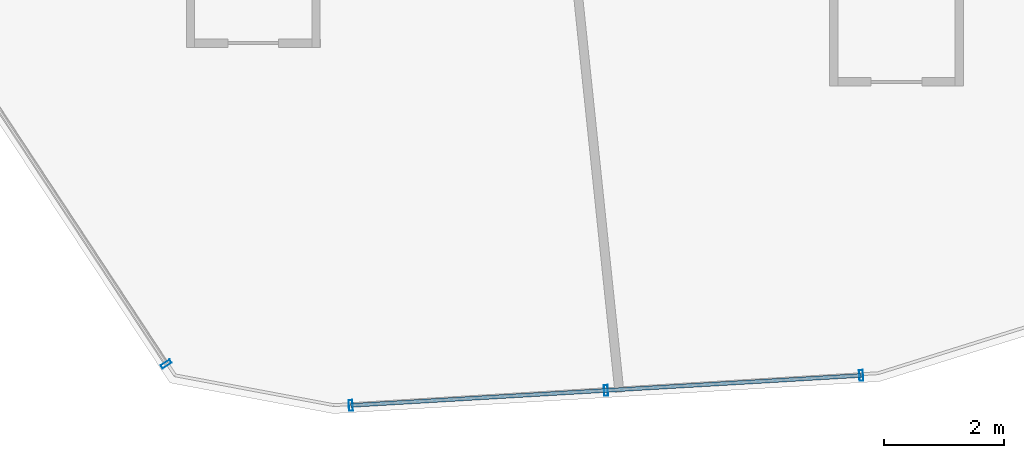
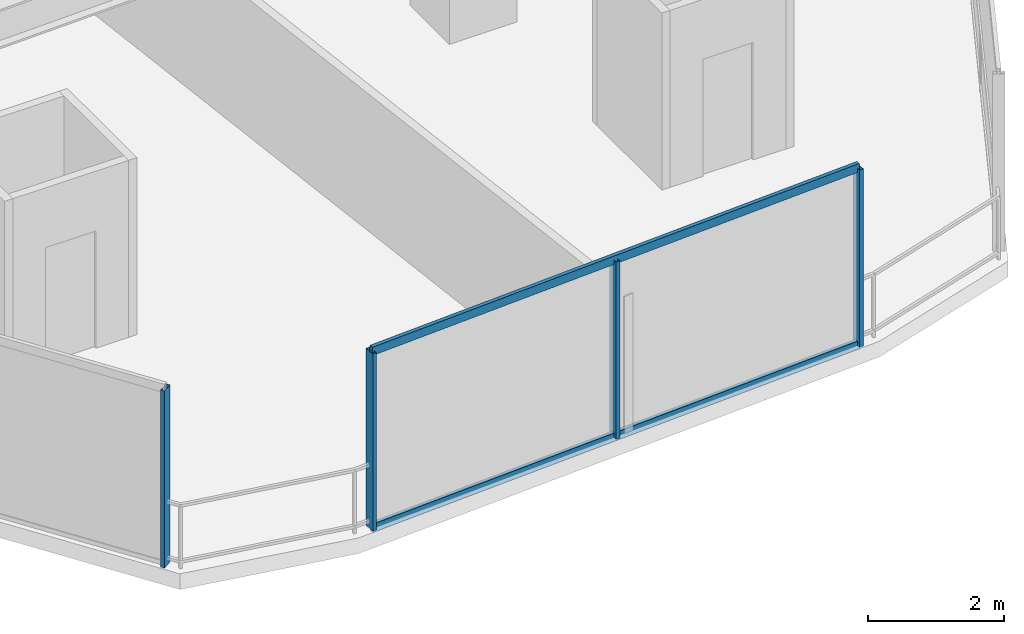
# One storey, part 4 of 30: 6 members, 2 elements without a shape of their own.
"""IFC4 building model written with IfcOpenShell, lengths in metres."""

from ifc_helpers import new_model, si_unit, direction, frame, origin, origin_2d, place, context, subcontext, project, spatial, hollow_rectangle, extrude, material, layer, layer_set, material_profile, profile_set, type_object, element, aggregate, save


model = new_model("IFC4")

# Units and contexts
model_context = context("Model", 3, precision=1e-05, world=origin(), true_north=direction((0.0, 1.0)))
body_context = subcontext(model_context, "Body", "Model", "MODEL_VIEW")
ifc_project = project(units=[si_unit("LENGTHUNIT", "METRE"), si_unit("AREAUNIT", "SQUARE_METRE"), si_unit("VOLUMEUNIT", "CUBIC_METRE"), si_unit("PLANEANGLEUNIT", "RADIAN"), si_unit("MASSUNIT", "GRAM", prefix="KILO")], contexts=[model_context])

# Site, building, storey
site_placement = place(None, origin())
site = spatial("IfcSite", under=ifc_project, at=site_placement, CompositionType="ELEMENT")
building_placement = place(site_placement, origin())
building = spatial("IfcBuilding", under=site, at=building_placement, Name="Qarnah Convention Tower", CompositionType="ELEMENT")
storey_placement = place(building_placement, frame((0.0, 0.0, 79.800048828125)))
storey = spatial("IfcBuildingStorey", under=building, at=storey_placement, Name="L20", CompositionType="ELEMENT", Elevation=79.800048828125)

# Curtain wall, member
ifc_material_1 = material(Name="Tempered Low-E dark glass", Category="glass")
ifc_layer = layer(ifc_material_1, 0.169921875)
ifc_layer_set = layer_set([ifc_layer], Name="Tempered Low-E dark glass")
curtain_wall_type = type_object("IfcCurtainWallType", Name="CWS-02", PredefinedType="NOTDEFINED", material=ifc_layer_set)
curtain_wall_1_placement = place(storey_placement, origin())
curtain_wall_1 = element("IfcCurtainWall", 1, at=curtain_wall_1_placement, inside=storey, type_object=curtain_wall_type, Name="L20 unitised curtain wall CW-L20-F3", PredefinedType="NOTDEFINED")
ifc_material_2 = material(Name="Black anodised aluminium", Category="aluminium")
ifc_material_profile_1 = material_profile(ifc_material_2, hollow_rectangle(XDim=0.06494140625, YDim=0.179931640625, WallThickness=0.00390625, at=origin_2d()), Name="MUL-65X180")
ifc_profile_set_1 = profile_set([ifc_material_profile_1], Name="Black anodised aluminium")
member_type_1 = type_object("IfcMemberType", Name="MUL-T2", PredefinedType="MULLION", material=ifc_profile_set_1)
member_1_placement = place(storey_placement, frame((32.23388671875, 1.883056640625, 0.0), z_axis=(0.0, 0.0, 1.0), x_axis=(-0.549904609076, 0.835227466572, 0.0)))
member_1 = element("IfcMember", 2, at=member_1_placement, type_object=member_type_1, Name="CW-L20-F3 mullion 1", PredefinedType="MULLION", context=body_context, shape_type="SweptSolid", body=[
    extrude(hollow_rectangle(XDim=0.06494140625, YDim=0.179931640625, WallThickness=0.00390625, at=origin_2d()), origin(), (0.0, 0.0, 1.0), 3.169921875),
])
aggregate(curtain_wall_1, [member_1])

# Curtain wall, members
curtain_wall_2_placement = place(storey_placement, origin())
curtain_wall_2 = element("IfcCurtainWall", 3, at=curtain_wall_2_placement, inside=storey, type_object=curtain_wall_type, Name="L20 unitised curtain wall CW-L20-F4", PredefinedType="NOTDEFINED")
member_2_placement = place(storey_placement, frame((43.85595703125, 1.69091796875, 0.0), z_axis=(0.0, 0.0, 1.0), x_axis=(-0.99828162554, -0.058598601598, 0.0)))
member_2 = element("IfcMember", 4, at=member_2_placement, type_object=member_type_1, Name="CW-L20-F4 mullion 1", PredefinedType="MULLION", context=body_context, shape_type="SweptSolid", body=[
    extrude(hollow_rectangle(XDim=0.06494140625, YDim=0.179931640625, WallThickness=0.00390625, at=origin_2d()), origin(), (0.0, 0.0, 1.0), 3.169921875),
])
member_3_placement = place(storey_placement, frame((39.58837890625, 1.4404296875, 0.0), z_axis=(0.0, 0.0, 1.0), x_axis=(-0.99828162554, -0.058598601598, 0.0)))
member_3 = element("IfcMember", 5, at=member_3_placement, type_object=member_type_1, Name="CW-L20-F4 mullion 2", PredefinedType="MULLION", context=body_context, shape_type="SweptSolid", body=[
    extrude(hollow_rectangle(XDim=0.06494140625, YDim=0.179931640625, WallThickness=0.00390625, at=origin_2d()), origin(), (0.0, 0.0, 1.0), 3.169921875),
])
member_4_placement = place(storey_placement, frame((35.321044921875, 1.18994140625, 0.0), z_axis=(0.0, 0.0, 1.0), x_axis=(-0.99828162554, -0.058598601598, 0.0)))
member_4 = element("IfcMember", 6, at=member_4_placement, type_object=member_type_1, Name="CW-L20-F4 mullion 3", PredefinedType="MULLION", context=body_context, shape_type="SweptSolid", body=[
    extrude(hollow_rectangle(XDim=0.06494140625, YDim=0.179931640625, WallThickness=0.00390625, at=origin_2d()), origin(), (0.0, 0.0, 1.0), 3.169921875),
])
ifc_material_profile_2 = material_profile(ifc_material_2, hollow_rectangle(XDim=0.06494140625, YDim=0.14990234375, WallThickness=0.00390625, at=origin_2d()), Name="TRN-65X150")
ifc_profile_set_2 = profile_set([ifc_material_profile_2], Name="Black anodised aluminium")
member_type_2 = type_object("IfcMemberType", Name="TRN-T2", PredefinedType="USERDEFINED", material=ifc_profile_set_2)
member_5_placement = place(storey_placement, frame((43.85595703125, 1.69091796875, 0.0), z_axis=(-0.998281750398, -0.058596474493, 0.0), x_axis=(0.058596474493, -0.998281750398, 0.0)))
member_5 = element("IfcMember", 7, at=member_5_placement, type_object=member_type_2, Name="CW-L20-F4 transom 1", ObjectType="TRANSOM", PredefinedType="USERDEFINED", context=body_context, shape_type="SweptSolid", body=[
    extrude(hollow_rectangle(XDim=0.06494140625, YDim=0.14990234375, WallThickness=0.00390625, at=origin_2d()), origin(), (0.0, 0.0, 1.0), 8.549560546875),
])
member_6_placement = place(storey_placement, frame((43.85595703125, 1.69091796875, 3.169921875), z_axis=(-0.998281750398, -0.058596474493, 0.0), x_axis=(0.058596474493, -0.998281750398, 0.0)))
member_6 = element("IfcMember", 8, at=member_6_placement, type_object=member_type_2, Name="CW-L20-F4 transom 2", ObjectType="TRANSOM", PredefinedType="USERDEFINED", context=body_context, shape_type="SweptSolid", body=[
    extrude(hollow_rectangle(XDim=0.06494140625, YDim=0.14990234375, WallThickness=0.00390625, at=origin_2d()), origin(), (0.0, 0.0, 1.0), 8.549560546875),
])
aggregate(curtain_wall_2, [member_2, member_3, member_4, member_5, member_6])

save(model, "model.ifc")
